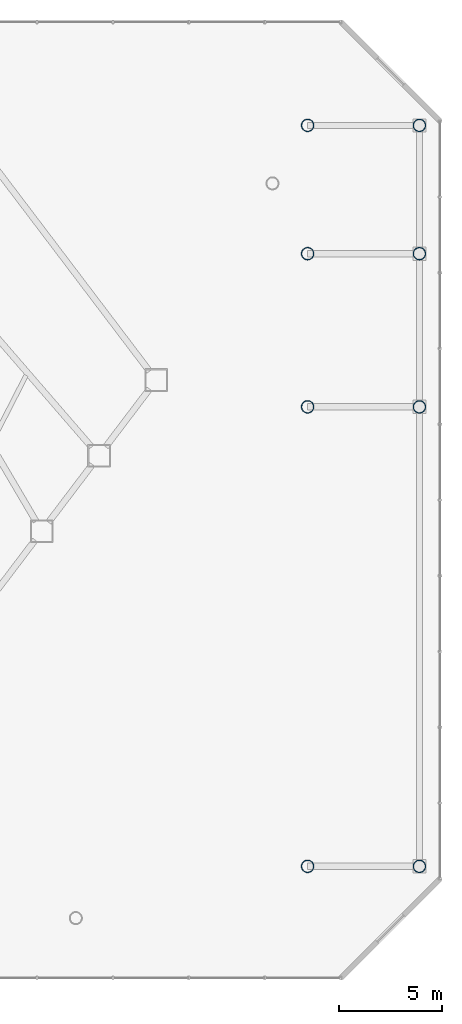
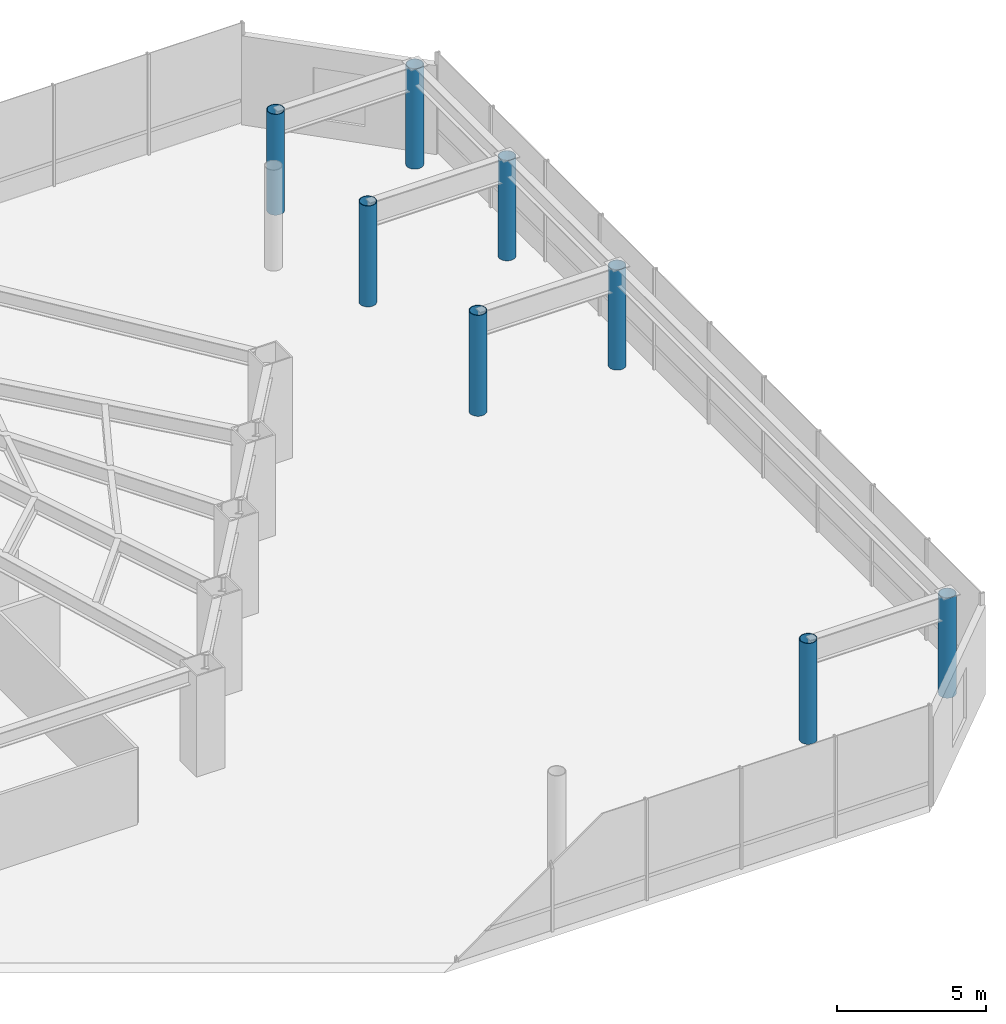
# One storey, part 3 of 37: 8 columns.
"""IFC4 building model written with IfcOpenShell, lengths in metres."""

from ifc_helpers import new_model, si_unit, direction, frame, origin, origin_2d, place, context, subcontext, project, spatial, hollow_circle, extrude, material, material_profile, profile_set, type_object, element, save


model = new_model("IFC4")

# Units and contexts
model_context = context("Model", 3, precision=1e-05, world=origin(), true_north=direction((0.0, 1.0)))
body_context = subcontext(model_context, "Body", "Model", "MODEL_VIEW")
ifc_project = project(units=[si_unit("LENGTHUNIT", "METRE"), si_unit("AREAUNIT", "SQUARE_METRE"), si_unit("VOLUMEUNIT", "CUBIC_METRE"), si_unit("PLANEANGLEUNIT", "RADIAN"), si_unit("MASSUNIT", "GRAM", prefix="KILO")], contexts=[model_context])

# Site, building, storey
site_placement = place(None, origin())
site = spatial("IfcSite", under=ifc_project, at=site_placement, CompositionType="ELEMENT")
building_placement = place(site_placement, origin())
building = spatial("IfcBuilding", under=site, at=building_placement, Name="Zarrinselat Tower", CompositionType="ELEMENT")
storey_placement = place(building_placement, frame((0.0, 0.0, 13.93994140625)))
storey = spatial("IfcBuildingStorey", under=building, at=storey_placement, Name="L03", CompositionType="ELEMENT", Elevation=13.93994140625)

# Columns
ifc_material = material(Name="Steel S355J2", Category="steel")
ifc_material_profile = material_profile(ifc_material, hollow_circle(Radius=0.304931640625, WallThickness=0.02490234375, at=origin_2d()), Name="CHS 610x25")
ifc_profile_set = profile_set([ifc_material_profile], Name="Steel S355J2")
column_type = type_object("IfcColumnType", Name="COL-CHS610", PredefinedType="COLUMN", material=ifc_profile_set)
column_1_placement = place(storey_placement, frame((73.39990234375, 11.0, 0.0), z_axis=(0.0, 0.0, 1.0), x_axis=(1.0, 0.0, 0.0)))
element("IfcColumn", 1, at=column_1_placement, inside=storey, type_object=column_type, Name="L03 Podium Outer Column E-11", PredefinedType="COLUMN", context=body_context, shape_type="SweptSolid", body=[
    extrude(hollow_circle(Radius=0.304931640625, WallThickness=0.02490234375, at=origin_2d()), origin(), (0.0, 0.0, 1.0), 4.110107421875),
])
column_2_placement = place(storey_placement, frame((68.0, 11.0, 0.0), z_axis=(0.0, 0.0, 1.0), x_axis=(1.0, 0.0, 0.0)))
element("IfcColumn", 2, at=column_2_placement, inside=storey, type_object=column_type, Name="L03 Podium Anchor Column E-11", PredefinedType="COLUMN", context=body_context, shape_type="SweptSolid", body=[
    extrude(hollow_circle(Radius=0.304931640625, WallThickness=0.02490234375, at=origin_2d()), origin(), (0.0, 0.0, 1.0), 4.14013671875),
])
column_3_placement = place(storey_placement, frame((73.39990234375, 33.199951171875, 0.0), z_axis=(0.0, 0.0, 1.0), x_axis=(1.0, 0.0, 0.0)))
element("IfcColumn", 3, at=column_3_placement, inside=storey, type_object=column_type, Name="L03 Podium Outer Column E-33", PredefinedType="COLUMN", context=body_context, shape_type="SweptSolid", body=[
    extrude(hollow_circle(Radius=0.304931640625, WallThickness=0.02490234375, at=origin_2d()), origin(), (0.0, 0.0, 1.0), 4.110107421875),
])
column_4_placement = place(storey_placement, frame((68.0, 33.199951171875, 0.0), z_axis=(0.0, 0.0, 1.0), x_axis=(1.0, 0.0, 0.0)))
element("IfcColumn", 4, at=column_4_placement, inside=storey, type_object=column_type, Name="L03 Podium Anchor Column E-33", PredefinedType="COLUMN", context=body_context, shape_type="SweptSolid", body=[
    extrude(hollow_circle(Radius=0.304931640625, WallThickness=0.02490234375, at=origin_2d()), origin(), (0.0, 0.0, 1.0), 4.14013671875),
])
column_5_placement = place(storey_placement, frame((73.39990234375, 40.60009765625, 0.0), z_axis=(0.0, 0.0, 1.0), x_axis=(1.0, 0.0, 0.0)))
element("IfcColumn", 5, at=column_5_placement, inside=storey, type_object=column_type, Name="L03 Podium Outer Column E-40", PredefinedType="COLUMN", context=body_context, shape_type="SweptSolid", body=[
    extrude(hollow_circle(Radius=0.304931640625, WallThickness=0.02490234375, at=origin_2d()), origin(), (0.0, 0.0, 1.0), 4.110107421875),
])
column_6_placement = place(storey_placement, frame((68.0, 40.60009765625, 0.0), z_axis=(0.0, 0.0, 1.0), x_axis=(1.0, 0.0, 0.0)))
element("IfcColumn", 6, at=column_6_placement, inside=storey, type_object=column_type, Name="L03 Podium Anchor Column E-40", PredefinedType="COLUMN", context=body_context, shape_type="SweptSolid", body=[
    extrude(hollow_circle(Radius=0.304931640625, WallThickness=0.02490234375, at=origin_2d()), origin(), (0.0, 0.0, 1.0), 4.14013671875),
])
column_7_placement = place(storey_placement, frame((73.39990234375, 46.800048828125, 0.0), z_axis=(0.0, 0.0, 1.0), x_axis=(1.0, 0.0, 0.0)))
element("IfcColumn", 7, at=column_7_placement, inside=storey, type_object=column_type, Name="L03 Podium Outer Column E-46", PredefinedType="COLUMN", context=body_context, shape_type="SweptSolid", body=[
    extrude(hollow_circle(Radius=0.304931640625, WallThickness=0.02490234375, at=origin_2d()), origin(), (0.0, 0.0, 1.0), 4.110107421875),
])
column_8_placement = place(storey_placement, frame((68.0, 46.800048828125, 0.0), z_axis=(0.0, 0.0, 1.0), x_axis=(1.0, 0.0, 0.0)))
element("IfcColumn", 8, at=column_8_placement, inside=storey, type_object=column_type, Name="L03 Podium Anchor Column E-46", PredefinedType="COLUMN", context=body_context, shape_type="SweptSolid", body=[
    extrude(hollow_circle(Radius=0.304931640625, WallThickness=0.02490234375, at=origin_2d()), origin(), (0.0, 0.0, 1.0), 4.14013671875),
])

save(model, "model.ifc")
